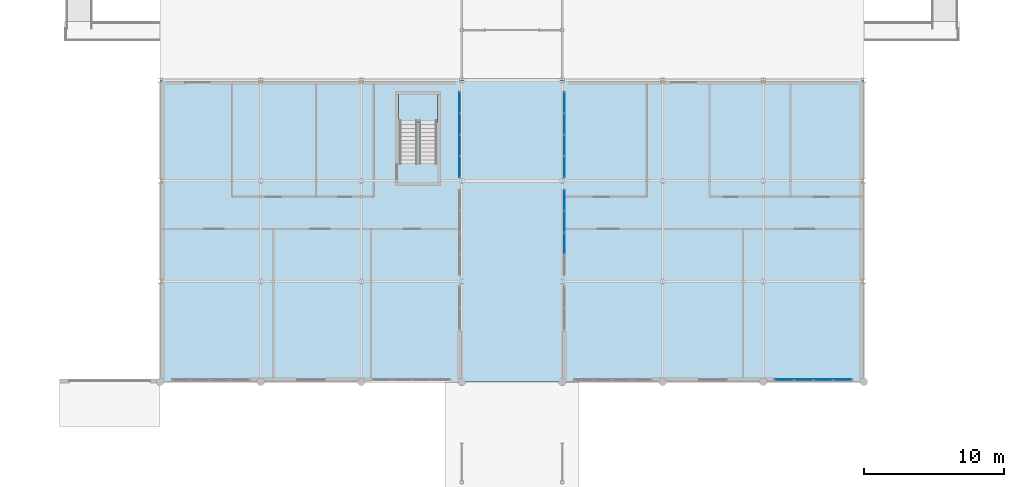
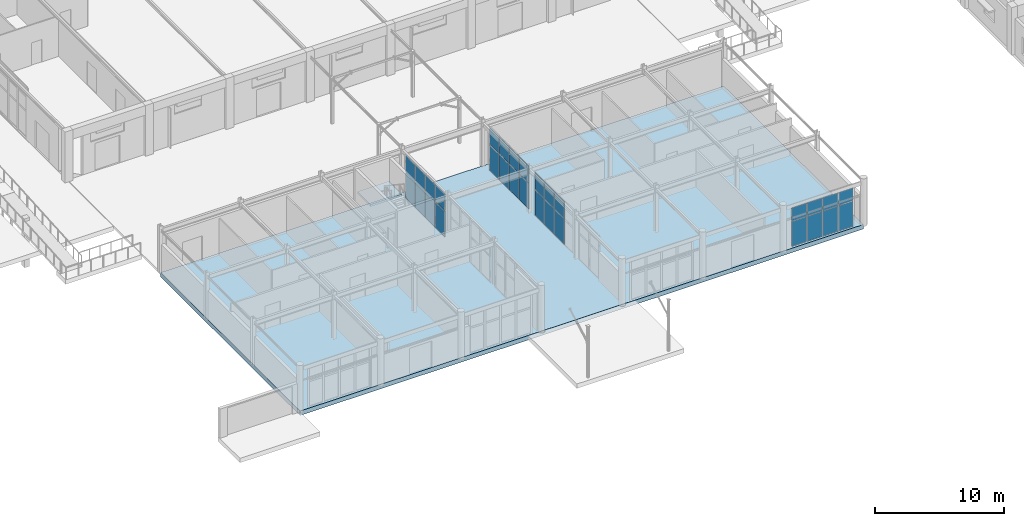
# One storey, part 34 of 85: 30 plates, 2 slabs, 5 elements without a shape of their own.
"""IFC4 building model written with IfcOpenShell, lengths in metres."""

from ifc_helpers import new_model, si_unit, direction, frame, origin, origin_2d, place, context, subcontext, project, spatial, polyline, rectangle, outline, extrude, material, layer, layer_set, type_object, element, aggregate, save


model = new_model("IFC4")

# Units and contexts
model_context = context("Model", 3, precision=1e-05, world=origin(), true_north=direction((0.0, 1.0)))
body_context = subcontext(model_context, "Body", "Model", "MODEL_VIEW")
ifc_project = project(units=[si_unit("LENGTHUNIT", "METRE"), si_unit("AREAUNIT", "SQUARE_METRE"), si_unit("VOLUMEUNIT", "CUBIC_METRE"), si_unit("PLANEANGLEUNIT", "RADIAN"), si_unit("MASSUNIT", "GRAM", prefix="KILO")], contexts=[model_context])

# Site, building, storey
site_placement = place(None, origin())
site = spatial("IfcSite", under=ifc_project, at=site_placement, CompositionType="ELEMENT")
building_placement = place(site_placement, origin())
building = spatial("IfcBuilding", under=site, at=building_placement, Name="Ochrevale Crest", CompositionType="ELEMENT")
storey_placement = place(building_placement, origin())
storey = spatial("IfcBuildingStorey", under=building, at=storey_placement, Name="L00", CompositionType="ELEMENT", Elevation=0.0)

# Curtain wall, plates
ifc_material_1 = material(Name="Anodised aluminium 6063-T5", Category="aluminium")
ifc_layer_1 = layer(ifc_material_1, 0.14990234375)
ifc_layer_set_1 = layer_set([ifc_layer_1], Name="Anodised aluminium 6063-T5")
curtain_wall_type_1 = type_object("IfcCurtainWallType", Name="CW-PAS-620x410", PredefinedType="NOTDEFINED", material=ifc_layer_set_1)
curtain_wall_1_placement = place(storey_placement, origin())
curtain_wall_1 = element("IfcCurtainWall", 1, at=curtain_wall_1_placement, inside=storey, type_object=curtain_wall_type_1, Name="Covered public passage W shopfront glazing 3", PredefinedType="NOTDEFINED")
ifc_material_2 = material(Name="Double-glazed low-E insulated glass unit", Category="glass")
ifc_layer_2 = layer(ifc_material_2, 0.028076171875)
ifc_layer_set_2 = layer_set([ifc_layer_2], Name="Double-glazed low-E insulated glass unit")
plate_type_1 = type_object("IfcPlateType", Name="CW-PNL-IGU28", PredefinedType="CURTAIN_PANEL", material=ifc_layer_set_2)
plate_1_placement = place(storey_placement, frame((79.050048828125, 22.59130859375, 0.06005859375), z_axis=(0.0, 0.0, 1.0), x_axis=(0.0, 1.0, 0.0)))
plate_1 = element("IfcPlate", 2, at=plate_1_placement, type_object=plate_type_1, Name="CW05 panel 1.1", PredefinedType="CURTAIN_PANEL", context=body_context, shape_type="SweptSolid", body=[
    extrude(rectangle(XDim=1.452392578125, YDim=0.028076171875, at=origin_2d()), origin(), (0.0, 0.0, 1.0), 2.409912109375),
])
plate_2_placement = place(storey_placement, frame((79.050048828125, 22.59130859375, 2.530029296875), z_axis=(0.0, 0.0, 1.0), x_axis=(0.0, 1.0, 0.0)))
plate_2 = element("IfcPlate", 3, at=plate_2_placement, type_object=plate_type_1, Name="CW05 panel 1.2", PredefinedType="CURTAIN_PANEL", context=body_context, shape_type="SweptSolid", body=[
    extrude(rectangle(XDim=1.452392578125, YDim=0.028076171875, at=origin_2d()), origin(), (0.0, 0.0, 1.0), 1.56005859375),
])
plate_3_placement = place(storey_placement, frame((79.050048828125, 24.125, 0.06005859375), z_axis=(0.0, 0.0, 1.0), x_axis=(0.0, 1.0, 0.0)))
plate_3 = element("IfcPlate", 4, at=plate_3_placement, type_object=plate_type_1, Name="CW05 panel 2.1", PredefinedType="CURTAIN_PANEL", context=body_context, shape_type="SweptSolid", body=[
    extrude(rectangle(XDim=1.485107421875, YDim=0.028076171875, at=origin_2d()), origin(), (0.0, 0.0, 1.0), 2.409912109375),
])
plate_4_placement = place(storey_placement, frame((79.050048828125, 24.125, 2.530029296875), z_axis=(0.0, 0.0, 1.0), x_axis=(0.0, 1.0, 0.0)))
plate_4 = element("IfcPlate", 5, at=plate_4_placement, type_object=plate_type_1, Name="CW05 panel 2.2", PredefinedType="CURTAIN_PANEL", context=body_context, shape_type="SweptSolid", body=[
    extrude(rectangle(XDim=1.485107421875, YDim=0.028076171875, at=origin_2d()), origin(), (0.0, 0.0, 1.0), 1.56005859375),
])
plate_5_placement = place(storey_placement, frame((79.050048828125, 25.675048828125, 0.06005859375), z_axis=(0.0, 0.0, 1.0), x_axis=(0.0, 1.0, 0.0)))
plate_5 = element("IfcPlate", 6, at=plate_5_placement, type_object=plate_type_1, Name="CW05 panel 3.1", PredefinedType="CURTAIN_PANEL", context=body_context, shape_type="SweptSolid", body=[
    extrude(rectangle(XDim=1.485107421875, YDim=0.028076171875, at=origin_2d()), origin(), (0.0, 0.0, 1.0), 2.409912109375),
])
plate_6_placement = place(storey_placement, frame((79.050048828125, 25.675048828125, 2.530029296875), z_axis=(0.0, 0.0, 1.0), x_axis=(0.0, 1.0, 0.0)))
plate_6 = element("IfcPlate", 7, at=plate_6_placement, type_object=plate_type_1, Name="CW05 panel 3.2", PredefinedType="CURTAIN_PANEL", context=body_context, shape_type="SweptSolid", body=[
    extrude(rectangle(XDim=1.485107421875, YDim=0.028076171875, at=origin_2d()), origin(), (0.0, 0.0, 1.0), 1.56005859375),
])
plate_7_placement = place(storey_placement, frame((79.050048828125, 27.208740234375, 0.06005859375), z_axis=(0.0, 0.0, 1.0), x_axis=(0.0, 1.0, 0.0)))
plate_7 = element("IfcPlate", 8, at=plate_7_placement, type_object=plate_type_1, Name="CW05 panel 4.1", PredefinedType="CURTAIN_PANEL", context=body_context, shape_type="SweptSolid", body=[
    extrude(rectangle(XDim=1.452392578125, YDim=0.028076171875, at=origin_2d()), origin(), (0.0, 0.0, 1.0), 2.409912109375),
])
plate_8_placement = place(storey_placement, frame((79.050048828125, 27.208740234375, 2.530029296875), z_axis=(0.0, 0.0, 1.0), x_axis=(0.0, 1.0, 0.0)))
plate_8 = element("IfcPlate", 9, at=plate_8_placement, type_object=plate_type_1, Name="CW05 panel 4.2", PredefinedType="CURTAIN_PANEL", context=body_context, shape_type="SweptSolid", body=[
    extrude(rectangle(XDim=1.452392578125, YDim=0.028076171875, at=origin_2d()), origin(), (0.0, 0.0, 1.0), 1.56005859375),
])
aggregate(curtain_wall_1, [plate_1, plate_2, plate_3, plate_4, plate_5, plate_6, plate_7, plate_8])

curtain_wall_2_placement = place(storey_placement, origin())
curtain_wall_2 = element("IfcCurtainWall", 10, at=curtain_wall_2_placement, inside=storey, type_object=curtain_wall_type_1, Name="Covered public passage E shopfront glazing 2", PredefinedType="NOTDEFINED")
plate_9_placement = place(storey_placement, frame((86.550048828125, 17.125, 0.06005859375), z_axis=(0.0, 0.0, 1.0), x_axis=(0.0, 1.0, 0.0)))
plate_9 = element("IfcPlate", 11, at=plate_9_placement, type_object=plate_type_1, Name="CW05 panel 2.1", PredefinedType="CURTAIN_PANEL", context=body_context, shape_type="SweptSolid", body=[
    extrude(rectangle(XDim=1.485107421875, YDim=0.028076171875, at=origin_2d()), origin(), (0.0, 0.0, 1.0), 2.409912109375),
])
plate_10_placement = place(storey_placement, frame((86.550048828125, 17.125, 2.530029296875), z_axis=(0.0, 0.0, 1.0), x_axis=(0.0, 1.0, 0.0)))
plate_10 = element("IfcPlate", 12, at=plate_10_placement, type_object=plate_type_1, Name="CW05 panel 2.2", PredefinedType="CURTAIN_PANEL", context=body_context, shape_type="SweptSolid", body=[
    extrude(rectangle(XDim=1.485107421875, YDim=0.028076171875, at=origin_2d()), origin(), (0.0, 0.0, 1.0), 1.56005859375),
])
plate_11_placement = place(storey_placement, frame((86.550048828125, 18.675048828125, 0.06005859375), z_axis=(0.0, 0.0, 1.0), x_axis=(0.0, 1.0, 0.0)))
plate_11 = element("IfcPlate", 13, at=plate_11_placement, type_object=plate_type_1, Name="CW05 panel 3.1", PredefinedType="CURTAIN_PANEL", context=body_context, shape_type="SweptSolid", body=[
    extrude(rectangle(XDim=1.485107421875, YDim=0.028076171875, at=origin_2d()), origin(), (0.0, 0.0, 1.0), 2.409912109375),
])
plate_12_placement = place(storey_placement, frame((86.550048828125, 18.675048828125, 2.530029296875), z_axis=(0.0, 0.0, 1.0), x_axis=(0.0, 1.0, 0.0)))
plate_12 = element("IfcPlate", 14, at=plate_12_placement, type_object=plate_type_1, Name="CW05 panel 3.2", PredefinedType="CURTAIN_PANEL", context=body_context, shape_type="SweptSolid", body=[
    extrude(rectangle(XDim=1.485107421875, YDim=0.028076171875, at=origin_2d()), origin(), (0.0, 0.0, 1.0), 1.56005859375),
])
plate_13_placement = place(storey_placement, frame((86.550048828125, 20.208740234375, 0.06005859375), z_axis=(0.0, 0.0, 1.0), x_axis=(0.0, 1.0, 0.0)))
plate_13 = element("IfcPlate", 15, at=plate_13_placement, type_object=plate_type_1, Name="CW05 panel 4.1", PredefinedType="CURTAIN_PANEL", context=body_context, shape_type="SweptSolid", body=[
    extrude(rectangle(XDim=1.452392578125, YDim=0.028076171875, at=origin_2d()), origin(), (0.0, 0.0, 1.0), 2.409912109375),
])
plate_14_placement = place(storey_placement, frame((86.550048828125, 20.208740234375, 2.530029296875), z_axis=(0.0, 0.0, 1.0), x_axis=(0.0, 1.0, 0.0)))
plate_14 = element("IfcPlate", 16, at=plate_14_placement, type_object=plate_type_1, Name="CW05 panel 4.2", PredefinedType="CURTAIN_PANEL", context=body_context, shape_type="SweptSolid", body=[
    extrude(rectangle(XDim=1.452392578125, YDim=0.028076171875, at=origin_2d()), origin(), (0.0, 0.0, 1.0), 1.56005859375),
])
aggregate(curtain_wall_2, [plate_9, plate_10, plate_11, plate_12, plate_13, plate_14])

curtain_wall_3_placement = place(storey_placement, origin())
curtain_wall_3 = element("IfcCurtainWall", 17, at=curtain_wall_3_placement, inside=storey, type_object=curtain_wall_type_1, Name="Covered public passage E shopfront glazing 3", PredefinedType="NOTDEFINED")
plate_15_placement = place(storey_placement, frame((86.550048828125, 22.59130859375, 0.06005859375), z_axis=(0.0, 0.0, 1.0), x_axis=(0.0, 1.0, 0.0)))
plate_15 = element("IfcPlate", 18, at=plate_15_placement, type_object=plate_type_1, Name="CW05 panel 1.1", PredefinedType="CURTAIN_PANEL", context=body_context, shape_type="SweptSolid", body=[
    extrude(rectangle(XDim=1.452392578125, YDim=0.028076171875, at=origin_2d()), origin(), (0.0, 0.0, 1.0), 2.409912109375),
])
plate_16_placement = place(storey_placement, frame((86.550048828125, 22.59130859375, 2.530029296875), z_axis=(0.0, 0.0, 1.0), x_axis=(0.0, 1.0, 0.0)))
plate_16 = element("IfcPlate", 19, at=plate_16_placement, type_object=plate_type_1, Name="CW05 panel 1.2", PredefinedType="CURTAIN_PANEL", context=body_context, shape_type="SweptSolid", body=[
    extrude(rectangle(XDim=1.452392578125, YDim=0.028076171875, at=origin_2d()), origin(), (0.0, 0.0, 1.0), 1.56005859375),
])
plate_17_placement = place(storey_placement, frame((86.550048828125, 24.125, 0.06005859375), z_axis=(0.0, 0.0, 1.0), x_axis=(0.0, 1.0, 0.0)))
plate_17 = element("IfcPlate", 20, at=plate_17_placement, type_object=plate_type_1, Name="CW05 panel 2.1", PredefinedType="CURTAIN_PANEL", context=body_context, shape_type="SweptSolid", body=[
    extrude(rectangle(XDim=1.485107421875, YDim=0.028076171875, at=origin_2d()), origin(), (0.0, 0.0, 1.0), 2.409912109375),
])
plate_18_placement = place(storey_placement, frame((86.550048828125, 24.125, 2.530029296875), z_axis=(0.0, 0.0, 1.0), x_axis=(0.0, 1.0, 0.0)))
plate_18 = element("IfcPlate", 21, at=plate_18_placement, type_object=plate_type_1, Name="CW05 panel 2.2", PredefinedType="CURTAIN_PANEL", context=body_context, shape_type="SweptSolid", body=[
    extrude(rectangle(XDim=1.485107421875, YDim=0.028076171875, at=origin_2d()), origin(), (0.0, 0.0, 1.0), 1.56005859375),
])
plate_19_placement = place(storey_placement, frame((86.550048828125, 25.675048828125, 0.06005859375), z_axis=(0.0, 0.0, 1.0), x_axis=(0.0, 1.0, 0.0)))
plate_19 = element("IfcPlate", 22, at=plate_19_placement, type_object=plate_type_1, Name="CW05 panel 3.1", PredefinedType="CURTAIN_PANEL", context=body_context, shape_type="SweptSolid", body=[
    extrude(rectangle(XDim=1.485107421875, YDim=0.028076171875, at=origin_2d()), origin(), (0.0, 0.0, 1.0), 2.409912109375),
])
plate_20_placement = place(storey_placement, frame((86.550048828125, 25.675048828125, 2.530029296875), z_axis=(0.0, 0.0, 1.0), x_axis=(0.0, 1.0, 0.0)))
plate_20 = element("IfcPlate", 23, at=plate_20_placement, type_object=plate_type_1, Name="CW05 panel 3.2", PredefinedType="CURTAIN_PANEL", context=body_context, shape_type="SweptSolid", body=[
    extrude(rectangle(XDim=1.485107421875, YDim=0.028076171875, at=origin_2d()), origin(), (0.0, 0.0, 1.0), 1.56005859375),
])
plate_21_placement = place(storey_placement, frame((86.550048828125, 27.208740234375, 0.06005859375), z_axis=(0.0, 0.0, 1.0), x_axis=(0.0, 1.0, 0.0)))
plate_21 = element("IfcPlate", 24, at=plate_21_placement, type_object=plate_type_1, Name="CW05 panel 4.1", PredefinedType="CURTAIN_PANEL", context=body_context, shape_type="SweptSolid", body=[
    extrude(rectangle(XDim=1.452392578125, YDim=0.028076171875, at=origin_2d()), origin(), (0.0, 0.0, 1.0), 2.409912109375),
])
plate_22_placement = place(storey_placement, frame((86.550048828125, 27.208740234375, 2.530029296875), z_axis=(0.0, 0.0, 1.0), x_axis=(0.0, 1.0, 0.0)))
plate_22 = element("IfcPlate", 25, at=plate_22_placement, type_object=plate_type_1, Name="CW05 panel 4.2", PredefinedType="CURTAIN_PANEL", context=body_context, shape_type="SweptSolid", body=[
    extrude(rectangle(XDim=1.452392578125, YDim=0.028076171875, at=origin_2d()), origin(), (0.0, 0.0, 1.0), 1.56005859375),
])
aggregate(curtain_wall_3, [plate_15, plate_16, plate_17, plate_18, plate_19, plate_20, plate_21, plate_22])

ifc_layer_3 = layer(ifc_material_1, 0.14990234375)
ifc_layer_set_3 = layer_set([ifc_layer_3], Name="Anodised aluminium 6063-T5")
curtain_wall_type_2 = type_object("IfcCurtainWallType", Name="CW-SF-620x415", PredefinedType="NOTDEFINED", material=ifc_layer_set_3)
curtain_wall_4_placement = place(storey_placement, origin())
curtain_wall_4 = element("IfcCurtainWall", 26, at=curtain_wall_4_placement, inside=storey, type_object=curtain_wall_type_2, Name="Boulevard E wing shopfront curtain wall 2", PredefinedType="NOTDEFINED")
ifc_material_3 = material(Name="Acoustic laminated low-E insulated glass unit", Category="glass")
ifc_layer_4 = layer(ifc_material_3, 0.0380859375)
ifc_layer_set_4 = layer_set([ifc_layer_4], Name="Acoustic laminated low-E insulated glass unit")
plate_type_2 = type_object("IfcPlateType", Name="CW-PNL-IGU38", PredefinedType="CURTAIN_PANEL", material=ifc_layer_set_4)
plate_23_placement = place(storey_placement, frame((102.316162109375, 7.35009765625, 0.06005859375), z_axis=(0.0, 0.0, 1.0), x_axis=(1.0, 0.0, 0.0)))
plate_23 = element("IfcPlate", 27, at=plate_23_placement, type_object=plate_type_2, Name="CW03 panel 1.1", PredefinedType="CURTAIN_PANEL", context=body_context, shape_type="SweptSolid", body=[
    extrude(rectangle(XDim=1.302490234375, YDim=0.0380859375, at=origin_2d()), origin(), (0.0, 0.0, 1.0), 2.360107421875),
])
plate_24_placement = place(storey_placement, frame((102.316162109375, 7.35009765625, 2.47998046875), z_axis=(0.0, 0.0, 1.0), x_axis=(1.0, 0.0, 0.0)))
plate_24 = element("IfcPlate", 28, at=plate_24_placement, type_object=plate_type_2, Name="CW03 panel 1.2", PredefinedType="CURTAIN_PANEL", context=body_context, shape_type="SweptSolid", body=[
    extrude(rectangle(XDim=1.302490234375, YDim=0.0380859375, at=origin_2d()), origin(), (0.0, 0.0, 1.0), 1.2099609375),
])
plate_25_placement = place(storey_placement, frame((103.699951171875, 7.35009765625, 0.06005859375), z_axis=(0.0, 0.0, 1.0), x_axis=(1.0, 0.0, 0.0)))
plate_25 = element("IfcPlate", 29, at=plate_25_placement, type_object=plate_type_2, Name="CW03 panel 2.1", PredefinedType="CURTAIN_PANEL", context=body_context, shape_type="SweptSolid", body=[
    extrude(rectangle(XDim=1.3349609375, YDim=0.0380859375, at=origin_2d()), origin(), (0.0, 0.0, 1.0), 2.360107421875),
])
plate_26_placement = place(storey_placement, frame((103.699951171875, 7.35009765625, 2.47998046875), z_axis=(0.0, 0.0, 1.0), x_axis=(1.0, 0.0, 0.0)))
plate_26 = element("IfcPlate", 30, at=plate_26_placement, type_object=plate_type_2, Name="CW03 panel 2.2", PredefinedType="CURTAIN_PANEL", context=body_context, shape_type="SweptSolid", body=[
    extrude(rectangle(XDim=1.3349609375, YDim=0.0380859375, at=origin_2d()), origin(), (0.0, 0.0, 1.0), 1.2099609375),
])
plate_27_placement = place(storey_placement, frame((105.10009765625, 7.35009765625, 0.06005859375), z_axis=(0.0, 0.0, 1.0), x_axis=(1.0, 0.0, 0.0)))
plate_27 = element("IfcPlate", 31, at=plate_27_placement, type_object=plate_type_2, Name="CW03 panel 3.1", PredefinedType="CURTAIN_PANEL", context=body_context, shape_type="SweptSolid", body=[
    extrude(rectangle(XDim=1.3349609375, YDim=0.0380859375, at=origin_2d()), origin(), (0.0, 0.0, 1.0), 2.360107421875),
])
plate_28_placement = place(storey_placement, frame((105.10009765625, 7.35009765625, 2.47998046875), z_axis=(0.0, 0.0, 1.0), x_axis=(1.0, 0.0, 0.0)))
plate_28 = element("IfcPlate", 32, at=plate_28_placement, type_object=plate_type_2, Name="CW03 panel 3.2", PredefinedType="CURTAIN_PANEL", context=body_context, shape_type="SweptSolid", body=[
    extrude(rectangle(XDim=1.3349609375, YDim=0.0380859375, at=origin_2d()), origin(), (0.0, 0.0, 1.0), 1.2099609375),
])
plate_29_placement = place(storey_placement, frame((106.483642578125, 7.35009765625, 0.06005859375), z_axis=(0.0, 0.0, 1.0), x_axis=(1.0, 0.0, 0.0)))
plate_29 = element("IfcPlate", 33, at=plate_29_placement, type_object=plate_type_2, Name="CW03 panel 4.1", PredefinedType="CURTAIN_PANEL", context=body_context, shape_type="SweptSolid", body=[
    extrude(rectangle(XDim=1.302490234375, YDim=0.0380859375, at=origin_2d()), origin(), (0.0, 0.0, 1.0), 2.360107421875),
])
plate_30_placement = place(storey_placement, frame((106.483642578125, 7.35009765625, 2.47998046875), z_axis=(0.0, 0.0, 1.0), x_axis=(1.0, 0.0, 0.0)))
plate_30 = element("IfcPlate", 34, at=plate_30_placement, type_object=plate_type_2, Name="CW03 panel 4.2", PredefinedType="CURTAIN_PANEL", context=body_context, shape_type="SweptSolid", body=[
    extrude(rectangle(XDim=1.302490234375, YDim=0.0380859375, at=origin_2d()), origin(), (0.0, 0.0, 1.0), 1.2099609375),
])
aggregate(curtain_wall_4, [plate_23, plate_24, plate_25, plate_26, plate_27, plate_28, plate_29, plate_30])

# Slab
ifc_material_4 = material(Name="Concrete C40/50", Category="concrete")
ifc_layer_5 = layer(ifc_material_4, 0.4150390625)
ifc_layer_set_5 = layer_set([ifc_layer_5], Name="Concrete C40/50")
slab_type_1 = type_object("IfcSlabType", Name="SLB-HALL-300", PredefinedType="FLOOR", material=ifc_layer_set_5)
slab_1_placement = place(storey_placement, frame((0.0, 0.0, -0.419921875)))
element("IfcSlab", 35, at=slab_1_placement, inside=storey, type_object=slab_type_1, Name="Boulevard Retail Arcade L00 ground floor slab", PredefinedType="FLOOR", context=body_context, shape_type="SweptSolid", body=[
    extrude(outline(polyline([(57.625, 7.199951171875), (107.97509765625, 7.199951171875), (107.97509765625, 28.800048828125), (57.625, 28.800048828125), (57.625, 7.199951171875)])), origin(), (0.0, 0.0, 1.0), 0.419921875),
])

# Stair, slab
ifc_material_5 = material(Name="Precast concrete C40/50", Category="concrete")
stair_type = type_object("IfcStairType", Name="ST-CIVIC-DOG", PredefinedType="HALF_TURN_STAIR", material=ifc_material_5)
stair_placement = place(storey_placement, origin())
stair = element("IfcStair", 36, at=stair_placement, inside=storey, type_object=stair_type, Name="L00 Boulevard Roof-Garden Stair", PredefinedType="HALF_TURN_STAIR")
ifc_layer_6 = layer(ifc_material_5, 0.199951171875)
ifc_layer_set_6 = layer_set([ifc_layer_6], Name="Precast concrete C40/50")
slab_type_2 = type_object("IfcSlabType", Name="SLB-ST-LAND", PredefinedType="LANDING", material=ifc_layer_set_6)
slab_2_placement = place(storey_placement, frame((0.0, 0.0, 2.050048828125)))
slab_2 = element("IfcSlab", 37, at=slab_2_placement, type_object=slab_type_2, Name="ST-R1 landing 1", PredefinedType="LANDING", context=body_context, shape_type="SweptSolid", body=[
    extrude(outline(polyline([(77.47998046875, 25.824951171875), (77.47998046875, 27.85498046875), (74.669921875, 27.85498046875), (74.669921875, 25.824951171875), (77.47998046875, 25.824951171875)])), origin(), (0.0, 0.0, 1.0), 0.199951171875),
])
aggregate(stair, [slab_2])

save(model, "model.ifc")
